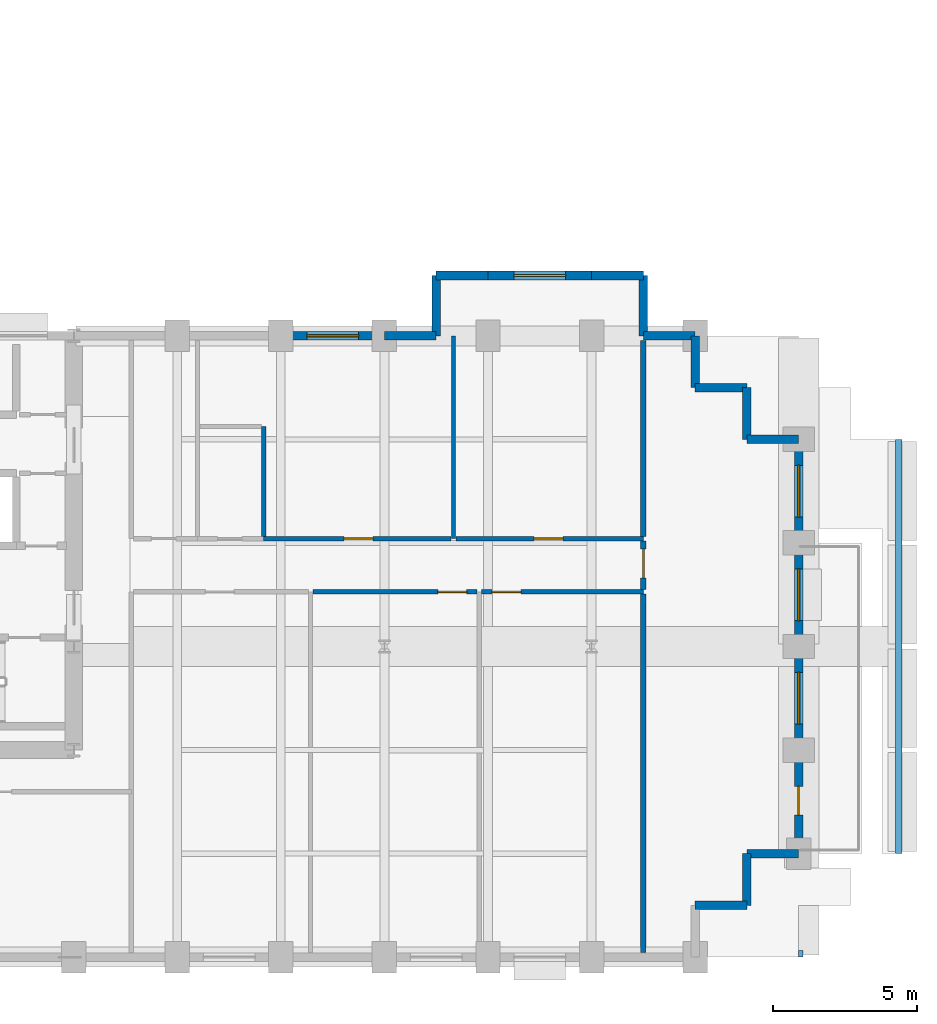
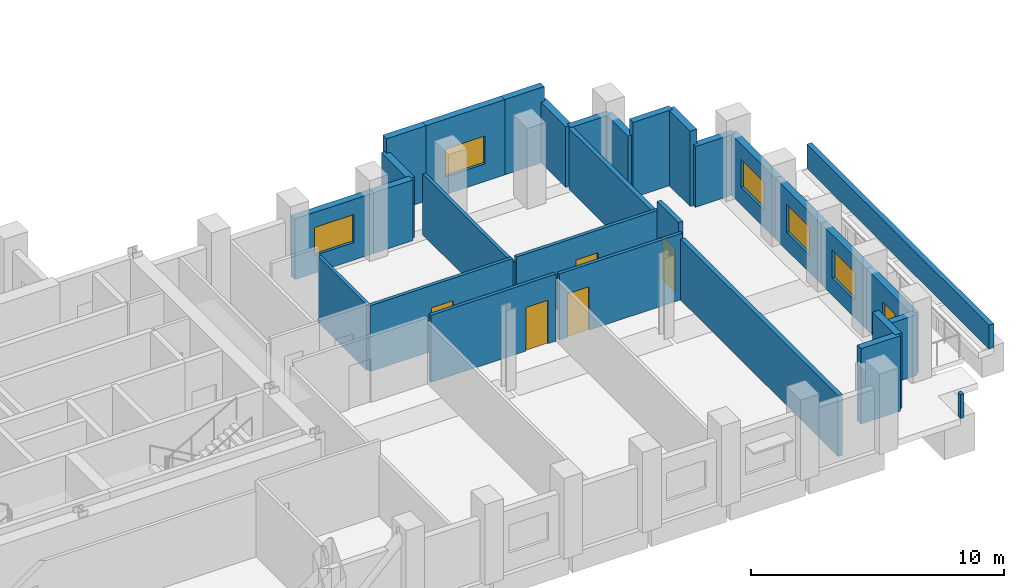
# One storey, part 6 of 9: 30 walls, 6 doors, 5 windows, 11 openings.
"""IFC4 building model written with IfcOpenShell, lengths in metres."""

from ifc_helpers import new_model, si_unit, direction, frame, frame_2d, origin, place, context, subcontext, project, spatial, rectangle, extrude, material, layer, layer_set, type_object, element, fill, save


model = new_model("IFC4")

# Units and contexts
model_context = context("Model", 3, precision=1e-05, world=origin(), true_north=direction((0.0, 1.0)))
body_context = subcontext(model_context, "Body", "Model", "MODEL_VIEW")
ifc_project = project(units=[si_unit("LENGTHUNIT", "METRE"), si_unit("AREAUNIT", "SQUARE_METRE"), si_unit("VOLUMEUNIT", "CUBIC_METRE"), si_unit("PLANEANGLEUNIT", "RADIAN"), si_unit("MASSUNIT", "GRAM", prefix="KILO")], contexts=[model_context])

# Site, building, storey
site_placement = place(None, origin())
site = spatial("IfcSite", under=ifc_project, at=site_placement, CompositionType="ELEMENT")
building_placement = place(site_placement, origin())
building = spatial("IfcBuilding", under=site, at=building_placement, Name="Solnavia Interchange Tower", CompositionType="ELEMENT")
storey_placement = place(building_placement, frame((0.0, 0.0, 80.10009765625)))
storey = spatial("IfcBuildingStorey", under=building, at=storey_placement, Name="L19", CompositionType="ELEMENT", Elevation=80.10009765625)

# Walls
ifc_material_1 = material(Name="Gypsum Acoustic Twin-Stud & Mineral Wool", Category="gypsum")
ifc_layer_1 = layer(ifc_material_1, 0.199951171875)
ifc_layer_set_1 = layer_set([ifc_layer_1], Name="Gypsum Acoustic Twin-Stud & Mineral Wool")
wall_type_1 = type_object("IfcWallType", Name="Wall-ApartmentParty-200", PredefinedType="PARTITIONING", material=ifc_layer_set_1)
wall_1_placement = place(storey_placement, frame((52.199951171875, 3.75390625, 0.0), z_axis=(0.0, 0.0, 1.0), x_axis=(0.0, 1.0, 0.0)))
element("IfcWall", 1, at=wall_1_placement, inside=storey, type_object=wall_type_1, Name="PTW-L19-22 Interior partition wall", PredefinedType="PARTITIONING", context=body_context, shape_type="SweptSolid", body=[
    extrude(rectangle(XDim=12.467041015625, YDim=0.199951171875, at=frame_2d((6.2333984375, 0.0))), origin(), (0.0, 0.0, 1.0), 2.929931640625),
])
wall_2_placement = place(storey_placement, frame((52.199951171875, 18.22900390625, 0.0), z_axis=(0.0, 0.0, 1.0), x_axis=(0.0, 1.0, 0.0)))
element("IfcWall", 2, at=wall_2_placement, inside=storey, type_object=wall_type_1, Name="PTW-L19-23 Interior partition wall", PredefinedType="PARTITIONING", context=body_context, shape_type="SweptSolid", body=[
    extrude(rectangle(XDim=6.81689453125, YDim=0.199951171875, at=frame_2d((3.408447265625, 0.0))), origin(), (0.0, 0.0, 1.0), 2.929931640625),
])

# Wall, opening, door
wall_3_placement = place(storey_placement, frame((52.199951171875, 16.37890625, 0.0), z_axis=(0.0, 0.0, 1.0), x_axis=(0.0, 1.0, 0.0)))
wall_3 = element("IfcWall", 3, at=wall_3_placement, inside=storey, type_object=wall_type_1, Name="PTW-L19-24 Interior partition wall", PredefinedType="PARTITIONING", context=body_context, shape_type="SweptSolid", body=[
    extrude(rectangle(XDim=1.692138671875, YDim=0.199951171875, at=frame_2d((0.84619140625, 0.0))), origin(), (0.0, 0.0, 1.0), 3.635009765625),
])
opening_1_placement = place(wall_3_placement, frame((0.405029296875, 0.0, 0.0)))
opening_1 = element("IfcOpeningElement", 4, at=opening_1_placement, cuts=wall_3, Name="Opening DR-06", PredefinedType="OPENING", context=body_context, shape_type="SweptSolid", body=[
    extrude(rectangle(XDim=1.0, YDim=2.10009765625, at=frame_2d((0.5, 1.050048828125))), frame((0.0, 0.10986328125, 0.0), z_axis=(0.0, -1.0, 0.0), x_axis=(1.0, 0.0, 0.0)), (0.0, 0.0, 1.0), 0.219970703125),
])
ifc_material_2 = material(Name="Engineered Timber Acoustic Fire Door", Category="wood")
door_type_1 = type_object("IfcDoorType", Name="Door-FlatEntry-1000x2100", OperationType="SINGLE_SWING_LEFT", PredefinedType="DOOR", material=ifc_material_2)
door_1_placement = place(opening_1_placement, origin())
door_1 = element("IfcDoor", 5, at=door_1_placement, inside=storey, type_object=door_type_1, Name="DR-L19-11 Interior room door", OperationType="SINGLE_SWING_RIGHT", OverallHeight=2.10009765625, OverallWidth=1.0, PredefinedType="DOOR", context=body_context, shape_type="SweptSolid", body=[
    extrude(rectangle(XDim=1.0, YDim=2.10009765625, at=frame_2d((0.5, 1.050048828125))), frame((0.0, 0.02490234375, 0.0), z_axis=(0.0, -1.0, 0.0), x_axis=(1.0, 0.0, 0.0)), (0.0, 0.0, 1.0), 0.050048828125),
])
fill(opening_1, door_1)

# Walls
ifc_material_3 = material(Name="Concrete C40/50", Category="concrete")
ifc_layer_2 = layer(ifc_material_3, 0.300048828125)
ifc_layer_set_2 = layer_set([ifc_layer_2], Name="Concrete C40/50")
wall_type_2 = type_object("IfcWallType", Name="Wall-ExtSpandrel-300", PredefinedType="STANDARD", material=ifc_layer_set_2)
for number, where, z_axis, x_axis, name in (
    (6, (55.800048828125, 5.39990234375, 0.0), (0.0, 0.0, 1.0), (-1.0, 0.0, 0.0), "EXW-L19-10 Exterior precast spandrel wall"),
    (7, (55.800048828125, 7.199951171875, 0.0), (0.0, 0.0, 1.0), (0.0, -1.0, 0.0), "EXW-L19-11 Exterior precast spandrel wall"),
):
    element("IfcWall", number, at=place(storey_placement, frame(where, z_axis=z_axis, x_axis=x_axis)), inside=storey, type_object=wall_type_2, Name=name, PredefinedType="STANDARD", context=body_context, shape_type="SweptSolid", body=[
        extrude(rectangle(XDim=1.800048828125, YDim=0.300048828125, at=frame_2d((0.89990234375, 0.0))), origin(), (0.0, 0.0, 1.0), 3.635009765625),
    ])
wall_4_placement = place(storey_placement, frame((57.60009765625, 7.199951171875, 0.0), z_axis=(0.0, 0.0, 1.0), x_axis=(-1.0, 0.0, 0.0)))
element("IfcWall", 8, at=wall_4_placement, inside=storey, type_object=wall_type_2, Name="EXW-L19-12 Exterior precast spandrel wall", PredefinedType="STANDARD", context=body_context, shape_type="SweptSolid", body=[
    extrude(rectangle(XDim=1.800048828125, YDim=0.300048828125, at=frame_2d((0.89990234375, 0.0))), origin(), (0.0, 0.0, 1.0), 2.929931640625),
])

# Wall, opening, door
wall_5_placement = place(storey_placement, frame((57.60009765625, 10.800048828125, 0.0), z_axis=(0.0, 0.0, 1.0), x_axis=(0.0, -1.0, 0.0)))
wall_5 = element("IfcWall", 9, at=wall_5_placement, inside=storey, type_object=wall_type_2, Name="EXW-L19-13 Exterior precast spandrel wall", PredefinedType="STANDARD", context=body_context, shape_type="SweptSolid", body=[
    extrude(rectangle(XDim=3.60009765625, YDim=0.300048828125, at=frame_2d((1.800048828125, 0.0))), origin(), (0.0, 0.0, 1.0), 2.929931640625),
])
opening_2_placement = place(wall_5_placement, frame((1.260986328125, 0.0, 0.0)))
opening_2 = element("IfcOpeningElement", 10, at=opening_2_placement, cuts=wall_5, Name="Opening EXD-05", PredefinedType="OPENING", context=body_context, shape_type="SweptSolid", body=[
    extrude(rectangle(XDim=1.0, YDim=2.10009765625, at=frame_2d((0.5, 1.050048828125))), frame((0.0, 0.16015625, 0.0), z_axis=(0.0, -1.0, 0.0), x_axis=(1.0, 0.0, 0.0)), (0.0, 0.0, 1.0), 0.320068359375),
])
ifc_material_4 = material(Name="Thermally Broken Aluminium & Laminated Glass", Category="aluminium")
door_type_2 = type_object("IfcDoorType", Name="Door-TerraceSingle-1000x2100", OperationType="SINGLE_SWING_LEFT", PredefinedType="DOOR", material=ifc_material_4)
door_2_placement = place(opening_2_placement, origin())
door_2 = element("IfcDoor", 11, at=door_2_placement, inside=storey, type_object=door_type_2, Name="EXD-L19-TER Spiral terrace glazed door", OperationType="SINGLE_SWING_LEFT", OverallHeight=2.10009765625, OverallWidth=1.0, PredefinedType="DOOR", context=body_context, shape_type="SweptSolid", body=[
    extrude(rectangle(XDim=1.0, YDim=2.10009765625, at=frame_2d((0.5, 1.050048828125))), frame((0.0, 0.02490234375, 0.0), z_axis=(0.0, -1.0, 0.0), x_axis=(1.0, 0.0, 0.0)), (0.0, 0.0, 1.0), 0.050048828125),
])
fill(opening_2, door_2)

# Wall, opening, window
wall_6_placement = place(storey_placement, frame((57.60009765625, 14.39990234375, 0.0), z_axis=(0.0, 0.0, 1.0), x_axis=(0.0, -1.0, 0.0)))
wall_6 = element("IfcWall", 12, at=wall_6_placement, inside=storey, type_object=wall_type_2, Name="EXW-L19-14 Exterior precast spandrel wall", PredefinedType="STANDARD", context=body_context, shape_type="SweptSolid", body=[
    extrude(rectangle(XDim=3.599853515625, YDim=0.300048828125, at=frame_2d((1.7998046875, 0.0))), origin(), (0.0, 0.0, 1.0), 2.929931640625),
])
opening_3_placement = place(wall_6_placement, frame((0.89990234375, 0.0, 0.85009765625)))
opening_3 = element("IfcOpeningElement", 13, at=opening_3_placement, cuts=wall_6, Name="Opening WIN-02", PredefinedType="OPENING", context=body_context, shape_type="SweptSolid", body=[
    extrude(rectangle(XDim=1.800048828125, YDim=1.35009765625, at=frame_2d((0.89990234375, 0.675048828125))), frame((0.0, 0.16015625, 0.0), z_axis=(0.0, -1.0, 0.0), x_axis=(1.0, 0.0, 0.0)), (0.0, 0.0, 1.0), 0.320068359375),
])
ifc_material_5 = material(Name="Thermal-Break Aluminium & Low-E Glass", Category="aluminium")
window_type = type_object("IfcWindowType", Name="Window-Ribbon-1800x1350", PartitioningType="SINGLE_PANEL", PredefinedType="WINDOW", material=ifc_material_5)
window_1_placement = place(opening_3_placement, origin())
window_1 = element("IfcWindow", 14, at=window_1_placement, inside=storey, type_object=window_type, Name="WIN-L19-14 Facade ribbon window", OverallHeight=1.35009765625, OverallWidth=1.800048828125, PartitioningType="SINGLE_PANEL", PredefinedType="WINDOW", context=body_context, shape_type="SweptSolid", body=[
    extrude(rectangle(XDim=1.800048828125, YDim=1.35009765625, at=frame_2d((0.89990234375, 0.675048828125))), frame((0.0, 0.030029296875, 0.0), z_axis=(0.0, -1.0, 0.0), x_axis=(1.0, 0.0, 0.0)), (0.0, 0.0, 1.0), 0.06005859375),
])
fill(opening_3, window_1)

wall_7_placement = place(storey_placement, frame((57.60009765625, 18.0, 0.0), z_axis=(0.0, 0.0, 1.0), x_axis=(0.0, -1.0, 0.0)))
wall_7 = element("IfcWall", 15, at=wall_7_placement, inside=storey, type_object=wall_type_2, Name="EXW-L19-15 Exterior precast spandrel wall", PredefinedType="STANDARD", context=body_context, shape_type="SweptSolid", body=[
    extrude(rectangle(XDim=3.60009765625, YDim=0.300048828125, at=frame_2d((1.800048828125, 0.0))), origin(), (0.0, 0.0, 1.0), 2.929931640625),
])
opening_4_placement = place(wall_7_placement, frame((0.89990234375, 0.0, 0.85009765625)))
opening_4 = element("IfcOpeningElement", 16, at=opening_4_placement, cuts=wall_7, Name="Opening WIN-02", PredefinedType="OPENING", context=body_context, shape_type="SweptSolid", body=[
    extrude(rectangle(XDim=1.800048828125, YDim=1.35009765625, at=frame_2d((0.89990234375, 0.675048828125))), frame((0.0, 0.16015625, 0.0), z_axis=(0.0, -1.0, 0.0), x_axis=(1.0, 0.0, 0.0)), (0.0, 0.0, 1.0), 0.320068359375),
])
window_2_placement = place(opening_4_placement, origin())
window_2 = element("IfcWindow", 17, at=window_2_placement, inside=storey, type_object=window_type, Name="WIN-L19-15 Facade ribbon window", OverallHeight=1.35009765625, OverallWidth=1.800048828125, PartitioningType="SINGLE_PANEL", PredefinedType="WINDOW", context=body_context, shape_type="SweptSolid", body=[
    extrude(rectangle(XDim=1.800048828125, YDim=1.35009765625, at=frame_2d((0.89990234375, 0.675048828125))), frame((0.0, 0.030029296875, 0.0), z_axis=(0.0, -1.0, 0.0), x_axis=(1.0, 0.0, 0.0)), (0.0, 0.0, 1.0), 0.06005859375),
])
fill(opening_4, window_2)

wall_8_placement = place(storey_placement, frame((57.60009765625, 21.60009765625, 0.0), z_axis=(0.0, 0.0, 1.0), x_axis=(0.0, -1.0, 0.0)))
wall_8 = element("IfcWall", 18, at=wall_8_placement, inside=storey, type_object=wall_type_2, Name="EXW-L19-16 Exterior precast spandrel wall", PredefinedType="STANDARD", context=body_context, shape_type="SweptSolid", body=[
    extrude(rectangle(XDim=3.60009765625, YDim=0.300048828125, at=frame_2d((1.800048828125, 0.0))), origin(), (0.0, 0.0, 1.0), 2.929931640625),
])
opening_5_placement = place(wall_8_placement, frame((0.89990234375, 0.0, 0.85009765625)))
opening_5 = element("IfcOpeningElement", 19, at=opening_5_placement, cuts=wall_8, Name="Opening WIN-02", PredefinedType="OPENING", context=body_context, shape_type="SweptSolid", body=[
    extrude(rectangle(XDim=1.800048828125, YDim=1.35009765625, at=frame_2d((0.89990234375, 0.675048828125))), frame((0.0, 0.16015625, 0.0), z_axis=(0.0, -1.0, 0.0), x_axis=(1.0, 0.0, 0.0)), (0.0, 0.0, 1.0), 0.320068359375),
])
window_3_placement = place(opening_5_placement, origin())
window_3 = element("IfcWindow", 20, at=window_3_placement, inside=storey, type_object=window_type, Name="WIN-L19-16 Facade ribbon window", OverallHeight=1.35009765625, OverallWidth=1.800048828125, PartitioningType="SINGLE_PANEL", PredefinedType="WINDOW", context=body_context, shape_type="SweptSolid", body=[
    extrude(rectangle(XDim=1.800048828125, YDim=1.35009765625, at=frame_2d((0.89990234375, 0.675048828125))), frame((0.0, 0.030029296875, 0.0), z_axis=(0.0, -1.0, 0.0), x_axis=(1.0, 0.0, 0.0)), (0.0, 0.0, 1.0), 0.06005859375),
])
fill(opening_5, window_3)

# Walls
wall_9_placement = place(storey_placement, frame((55.800048828125, 21.60009765625, 0.0), z_axis=(0.0, 0.0, 1.0), x_axis=(1.0, 0.0, 0.0)))
element("IfcWall", 21, at=wall_9_placement, inside=storey, type_object=wall_type_2, Name="EXW-L19-17 Exterior precast spandrel wall", PredefinedType="STANDARD", context=body_context, shape_type="SweptSolid", body=[
    extrude(rectangle(XDim=1.800048828125, YDim=0.300048828125, at=frame_2d((0.89990234375, 0.0))), origin(), (0.0, 0.0, 1.0), 2.929931640625),
])
wall_10_placement = place(storey_placement, frame((55.800048828125, 23.39990234375, 0.0), z_axis=(0.0, 0.0, 1.0), x_axis=(0.0, -1.0, 0.0)))
element("IfcWall", 22, at=wall_10_placement, inside=storey, type_object=wall_type_2, Name="EXW-L19-18 Exterior precast spandrel wall", PredefinedType="STANDARD", context=body_context, shape_type="SweptSolid", body=[
    extrude(rectangle(XDim=1.7998046875, YDim=0.300048828125, at=frame_2d((0.89990234375, 0.0))), origin(), (0.0, 0.0, 1.0), 3.635009765625),
])
wall_11_placement = place(storey_placement, frame((54.0, 23.39990234375, 0.0), z_axis=(0.0, 0.0, 1.0), x_axis=(1.0, 0.0, 0.0)))
element("IfcWall", 23, at=wall_11_placement, inside=storey, type_object=wall_type_2, Name="EXW-L19-19 Exterior precast spandrel wall", PredefinedType="STANDARD", context=body_context, shape_type="SweptSolid", body=[
    extrude(rectangle(XDim=1.800048828125, YDim=0.300048828125, at=frame_2d((0.89990234375, 0.0))), origin(), (0.0, 0.0, 1.0), 3.635009765625),
])
for number, where, z_axis, x_axis, name in (
    (24, (54.0, 25.199951171875, 0.0), (0.0, 0.0, 1.0), (0.0, -1.0, 0.0), "EXW-L19-20 Exterior precast spandrel wall"),
    (25, (52.199951171875, 25.199951171875, 0.0), (0.0, 0.0, 1.0), (1.0, 0.0, 0.0), "EXW-L19-21 Exterior precast spandrel wall"),
):
    element("IfcWall", number, at=place(storey_placement, frame(where, z_axis=z_axis, x_axis=x_axis)), inside=storey, type_object=wall_type_2, Name=name, PredefinedType="STANDARD", context=body_context, shape_type="SweptSolid", body=[
        extrude(rectangle(XDim=1.800048828125, YDim=0.300048828125, at=frame_2d((0.89990234375, 0.0))), origin(), (0.0, 0.0, 1.0), 2.929931640625),
    ])
wall_12_placement = place(storey_placement, frame((52.199951171875, 27.300048828125, 0.0), z_axis=(0.0, 0.0, 1.0), x_axis=(0.0, -1.0, 0.0)))
element("IfcWall", 26, at=wall_12_placement, inside=storey, type_object=wall_type_2, Name="EXW-L19-22 Exterior precast spandrel wall", PredefinedType="STANDARD", context=body_context, shape_type="SweptSolid", body=[
    extrude(rectangle(XDim=2.10009765625, YDim=0.300048828125, at=frame_2d((1.050048828125, 0.0))), origin(), (0.0, 0.0, 1.0), 2.929931640625),
])
wall_13_placement = place(storey_placement, frame((50.39990234375, 27.300048828125, 0.0), z_axis=(0.0, 0.0, 1.0), x_axis=(1.0, 0.0, 0.0)))
element("IfcWall", 27, at=wall_13_placement, inside=storey, type_object=wall_type_2, Name="EXW-L19-23 Exterior precast spandrel wall", PredefinedType="STANDARD", context=body_context, shape_type="SweptSolid", body=[
    extrude(rectangle(XDim=1.800048828125, YDim=0.300048828125, at=frame_2d((0.89990234375, 0.0))), origin(), (0.0, 0.0, 1.0), 3.635009765625),
])

# Wall, opening, window
wall_14_placement = place(storey_placement, frame((46.800048828125, 27.300048828125, 0.0), z_axis=(0.0, 0.0, 1.0), x_axis=(1.0, 0.0, 0.0)))
wall_14 = element("IfcWall", 28, at=wall_14_placement, inside=storey, type_object=wall_type_2, Name="EXW-L19-24 Exterior precast spandrel wall", PredefinedType="STANDARD", context=body_context, shape_type="SweptSolid", body=[
    extrude(rectangle(XDim=3.599853515625, YDim=0.300048828125, at=frame_2d((1.7998046875, 0.0))), origin(), (0.0, 0.0, 1.0), 3.635009765625),
])
opening_6_placement = place(wall_14_placement, frame((0.89990234375, 0.0, 0.85009765625)))
opening_6 = element("IfcOpeningElement", 29, at=opening_6_placement, cuts=wall_14, Name="Opening WIN-02", PredefinedType="OPENING", context=body_context, shape_type="SweptSolid", body=[
    extrude(rectangle(XDim=1.800048828125, YDim=1.35009765625, at=frame_2d((0.89990234375, 0.675048828125))), frame((0.0, 0.16015625, 0.0), z_axis=(0.0, -1.0, 0.0), x_axis=(1.0, 0.0, 0.0)), (0.0, 0.0, 1.0), 0.320068359375),
])
window_4_placement = place(opening_6_placement, origin())
window_4 = element("IfcWindow", 30, at=window_4_placement, inside=storey, type_object=window_type, Name="WIN-L19-24 Facade ribbon window", OverallHeight=1.35009765625, OverallWidth=1.800048828125, PartitioningType="SINGLE_PANEL", PredefinedType="WINDOW", context=body_context, shape_type="SweptSolid", body=[
    extrude(rectangle(XDim=1.800048828125, YDim=1.35009765625, at=frame_2d((0.89990234375, 0.675048828125))), frame((0.0, 0.030029296875, 0.0), z_axis=(0.0, -1.0, 0.0), x_axis=(1.0, 0.0, 0.0)), (0.0, 0.0, 1.0), 0.06005859375),
])
fill(opening_6, window_4)

# Walls
wall_15_placement = place(storey_placement, frame((45.0, 27.300048828125, 0.0), z_axis=(0.0, 0.0, 1.0), x_axis=(1.0, 0.0, 0.0)))
element("IfcWall", 31, at=wall_15_placement, inside=storey, type_object=wall_type_2, Name="EXW-L19-25 Exterior precast spandrel wall", PredefinedType="STANDARD", context=body_context, shape_type="SweptSolid", body=[
    extrude(rectangle(XDim=1.800048828125, YDim=0.300048828125, at=frame_2d((0.89990234375, 0.0))), origin(), (0.0, 0.0, 1.0), 3.635009765625),
])
wall_16_placement = place(storey_placement, frame((45.0, 27.300048828125, 0.0), z_axis=(0.0, 0.0, 1.0), x_axis=(0.0, -1.0, 0.0)))
element("IfcWall", 32, at=wall_16_placement, inside=storey, type_object=wall_type_2, Name="EXW-L19-26 Exterior precast spandrel wall", PredefinedType="STANDARD", context=body_context, shape_type="SweptSolid", body=[
    extrude(rectangle(XDim=2.10009765625, YDim=0.300048828125, at=frame_2d((1.050048828125, 0.0))), origin(), (0.0, 0.0, 1.0), 2.929931640625),
])
wall_17_placement = place(storey_placement, frame((43.199951171875, 25.199951171875, 0.0), z_axis=(0.0, 0.0, 1.0), x_axis=(1.0, 0.0, 0.0)))
element("IfcWall", 33, at=wall_17_placement, inside=storey, type_object=wall_type_2, Name="EXW-L19-27 Exterior precast spandrel wall", PredefinedType="STANDARD", context=body_context, shape_type="SweptSolid", body=[
    extrude(rectangle(XDim=1.800048828125, YDim=0.300048828125, at=frame_2d((0.89990234375, 0.0))), origin(), (0.0, 0.0, 1.0), 2.929931640625),
])

# Wall, opening, window
wall_18_placement = place(storey_placement, frame((39.60009765625, 25.199951171875, 0.0), z_axis=(0.0, 0.0, 1.0), x_axis=(1.0, 0.0, 0.0)))
wall_18 = element("IfcWall", 34, at=wall_18_placement, inside=storey, type_object=wall_type_2, Name="EXW-L19-28 Exterior precast spandrel wall", PredefinedType="STANDARD", context=body_context, shape_type="SweptSolid", body=[
    extrude(rectangle(XDim=3.599853515625, YDim=0.300048828125, at=frame_2d((1.7998046875, 0.0))), origin(), (0.0, 0.0, 1.0), 2.929931640625),
])
opening_7_placement = place(wall_18_placement, frame((0.89990234375, 0.0, 0.85009765625)))
opening_7 = element("IfcOpeningElement", 35, at=opening_7_placement, cuts=wall_18, Name="Opening WIN-02", PredefinedType="OPENING", context=body_context, shape_type="SweptSolid", body=[
    extrude(rectangle(XDim=1.800048828125, YDim=1.35009765625, at=frame_2d((0.89990234375, 0.675048828125))), frame((0.0, 0.16015625, 0.0), z_axis=(0.0, -1.0, 0.0), x_axis=(1.0, 0.0, 0.0)), (0.0, 0.0, 1.0), 0.320068359375),
])
window_5_placement = place(opening_7_placement, origin())
window_5 = element("IfcWindow", 36, at=window_5_placement, inside=storey, type_object=window_type, Name="WIN-L19-28 Facade ribbon window", OverallHeight=1.35009765625, OverallWidth=1.800048828125, PartitioningType="SINGLE_PANEL", PredefinedType="WINDOW", context=body_context, shape_type="SweptSolid", body=[
    extrude(rectangle(XDim=1.800048828125, YDim=1.35009765625, at=frame_2d((0.89990234375, 0.675048828125))), frame((0.0, 0.030029296875, 0.0), z_axis=(0.0, -1.0, 0.0), x_axis=(1.0, 0.0, 0.0)), (0.0, 0.0, 1.0), 0.06005859375),
])
fill(opening_7, window_5)

# Walls
ifc_layer_3 = layer(ifc_material_3, 0.219970703125)
ifc_layer_set_3 = layer_set([ifc_layer_3], Name="Concrete C40/50")
wall_type_3 = type_object("IfcWallType", Name="Wall-Parapet-220", PredefinedType="PARAPET", material=ifc_layer_set_3)
wall_19_placement = place(storey_placement, frame((57.75, 3.719970703125, 0.0), z_axis=(0.0, 0.0, 1.0), x_axis=(-1.0, 0.0, 0.0)))
element("IfcWall", 37, at=wall_19_placement, inside=storey, type_object=wall_type_3, Name="PRP-L19-E1 Setback roof parapet", PredefinedType="PARAPET", context=body_context, shape_type="SweptSolid", body=[
    extrude(rectangle(XDim=0.14990234375, YDim=0.219970703125, at=frame_2d((0.074951171875, 0.0))), origin(), (0.0, 0.0, 1.0), 1.14990234375),
])
wall_20_placement = place(storey_placement, frame((61.080078125, 7.199951171875, 0.0), z_axis=(0.0, 0.0, 1.0), x_axis=(0.0, 1.0, 0.0)))
element("IfcWall", 38, at=wall_20_placement, inside=storey, type_object=wall_type_3, Name="PRP-L19-E2 Setback roof parapet", PredefinedType="PARAPET", context=body_context, shape_type="SweptSolid", body=[
    extrude(rectangle(XDim=14.400146484375, YDim=0.219970703125, at=frame_2d((7.2001953125, 0.0))), origin(), (0.0, 0.0, 1.0), 1.14990234375),
])

# Wall, opening, door
ifc_material_6 = material(Name="Gypsum Plasterboard & Steel Stud", Category="steel")
ifc_layer_4 = layer(ifc_material_6, 0.14990234375)
ifc_layer_set_4 = layer_set([ifc_layer_4], Name="Gypsum Plasterboard & Steel Stud")
wall_type_4 = type_object("IfcWallType", Name="Wall-Partition-150", PredefinedType="PARTITIONING", material=ifc_layer_set_4)
wall_21_placement = place(storey_placement, frame((40.708984375, 16.300048828125, 0.0), z_axis=(0.0, 0.0, 1.0), x_axis=(1.0, 0.0, 0.0)))
wall_21 = element("IfcWall", 39, at=wall_21_placement, inside=storey, type_object=wall_type_4, Name="PTW-L19-17 Interior partition wall", PredefinedType="PARTITIONING", context=body_context, shape_type="SweptSolid", body=[
    extrude(rectangle(XDim=5.7119140625, YDim=0.14990234375, at=frame_2d((2.85595703125, 0.0))), origin(), (0.0, 0.0, 1.0), 3.239990234375),
])
opening_8_placement = place(wall_21_placement, frame((4.35107421875, 0.0, 0.0)))
opening_8 = element("IfcOpeningElement", 40, at=opening_8_placement, cuts=wall_21, Name="Opening DR-07", PredefinedType="OPENING", context=body_context, shape_type="SweptSolid", body=[
    extrude(rectangle(XDim=1.0, YDim=2.10009765625, at=frame_2d((0.5, 1.050048828125))), frame((0.0, 0.0849609375, 0.0), z_axis=(0.0, -1.0, 0.0), x_axis=(1.0, 0.0, 0.0)), (0.0, 0.0, 1.0), 0.169921875),
])
ifc_material_7 = material(Name="Timber & Acoustic Glazed Office Door", Category="wood")
door_type_3 = type_object("IfcDoorType", Name="Door-Office-1000x2100", OperationType="SINGLE_SWING_RIGHT", PredefinedType="DOOR", material=ifc_material_7)
door_3_placement = place(opening_8_placement, origin())
door_3 = element("IfcDoor", 41, at=door_3_placement, inside=storey, type_object=door_type_3, Name="DR-L19-07 Interior room door", OperationType="SINGLE_SWING_RIGHT", OverallHeight=2.10009765625, OverallWidth=1.0, PredefinedType="DOOR", context=body_context, shape_type="SweptSolid", body=[
    extrude(rectangle(XDim=1.0, YDim=2.10009765625, at=frame_2d((0.5, 1.050048828125))), frame((0.0, 0.02490234375, 0.0), z_axis=(0.0, -1.0, 0.0), x_axis=(1.0, 0.0, 0.0)), (0.0, 0.0, 1.0), 0.050048828125),
])
fill(opening_8, door_3)

wall_22_placement = place(storey_placement, frame((46.5791015625, 16.300048828125, 0.0), z_axis=(0.0, 0.0, 1.0), x_axis=(1.0, 0.0, 0.0)))
wall_22 = element("IfcWall", 42, at=wall_22_placement, inside=storey, type_object=wall_type_4, Name="PTW-L19-18 Interior partition wall", PredefinedType="PARTITIONING", context=body_context, shape_type="SweptSolid", body=[
    extrude(rectangle(XDim=5.620849609375, YDim=0.14990234375, at=frame_2d((2.810546875, 0.0))), origin(), (0.0, 0.0, 1.0), 3.18994140625),
])
opening_9_placement = place(wall_22_placement, frame((0.361083984375, 0.0, 0.0)))
opening_9 = element("IfcOpeningElement", 43, at=opening_9_placement, cuts=wall_22, Name="Opening DR-07", PredefinedType="OPENING", context=body_context, shape_type="SweptSolid", body=[
    extrude(rectangle(XDim=1.0, YDim=2.10009765625, at=frame_2d((0.5, 1.050048828125))), frame((0.0, 0.0849609375, 0.0), z_axis=(0.0, -1.0, 0.0), x_axis=(1.0, 0.0, 0.0)), (0.0, 0.0, 1.0), 0.169921875),
])
door_4_placement = place(opening_9_placement, origin())
door_4 = element("IfcDoor", 44, at=door_4_placement, inside=storey, type_object=door_type_3, Name="DR-L19-08 Interior room door", OperationType="SINGLE_SWING_LEFT", OverallHeight=2.10009765625, OverallWidth=1.0, PredefinedType="DOOR", context=body_context, shape_type="SweptSolid", body=[
    extrude(rectangle(XDim=1.0, YDim=2.10009765625, at=frame_2d((0.5, 1.050048828125))), frame((0.0, 0.02490234375, 0.0), z_axis=(0.0, -1.0, 0.0), x_axis=(1.0, 0.0, 0.0)), (0.0, 0.0, 1.0), 0.050048828125),
])
fill(opening_9, door_4)

# Wall
wall_23_placement = place(storey_placement, frame((45.60009765625, 18.14990234375, 0.0), z_axis=(0.0, 0.0, 1.0), x_axis=(0.0, 1.0, 0.0)))
element("IfcWall", 45, at=wall_23_placement, inside=storey, type_object=wall_type_4, Name="PTW-L19-19 Interior partition wall", PredefinedType="PARTITIONING", context=body_context, shape_type="SweptSolid", body=[
    extrude(rectangle(XDim=7.050048828125, YDim=0.14990234375, at=frame_2d((3.52490234375, 0.0))), origin(), (0.0, 0.0, 1.0), 2.929931640625),
])

# Wall, opening, door
wall_24_placement = place(storey_placement, frame((39.0, 18.14990234375, 0.0), z_axis=(0.0, 0.0, 1.0), x_axis=(1.0, 0.0, 0.0)))
wall_24 = element("IfcWall", 46, at=wall_24_placement, inside=storey, type_object=wall_type_4, Name="PTW-L19-20 Interior partition wall", PredefinedType="PARTITIONING", context=body_context, shape_type="SweptSolid", body=[
    extrude(rectangle(XDim=6.52099609375, YDim=0.14990234375, at=frame_2d((3.260498046875, 0.0))), origin(), (0.0, 0.0, 1.0), 3.179931640625),
])
opening_10_placement = place(wall_24_placement, frame((2.800048828125, 0.0, 0.0)))
opening_10 = element("IfcOpeningElement", 47, at=opening_10_placement, cuts=wall_24, Name="Opening DR-07", PredefinedType="OPENING", context=body_context, shape_type="SweptSolid", body=[
    extrude(rectangle(XDim=1.0, YDim=2.10009765625, at=frame_2d((0.5, 1.050048828125))), frame((0.0, 0.0849609375, 0.0), z_axis=(0.0, -1.0, 0.0), x_axis=(1.0, 0.0, 0.0)), (0.0, 0.0, 1.0), 0.169921875),
])
door_5_placement = place(opening_10_placement, origin())
door_5 = element("IfcDoor", 48, at=door_5_placement, inside=storey, type_object=door_type_3, Name="DR-L19-09 Interior room door", OperationType="SINGLE_SWING_RIGHT", OverallHeight=2.10009765625, OverallWidth=1.0, PredefinedType="DOOR", context=body_context, shape_type="SweptSolid", body=[
    extrude(rectangle(XDim=1.0, YDim=2.10009765625, at=frame_2d((0.5, 1.050048828125))), frame((0.0, 0.02490234375, 0.0), z_axis=(0.0, -1.0, 0.0), x_axis=(1.0, 0.0, 0.0)), (0.0, 0.0, 1.0), 0.050048828125),
])
fill(opening_10, door_5)

wall_25_placement = place(storey_placement, frame((45.678955078125, 18.14990234375, 0.0), z_axis=(0.0, 0.0, 1.0), x_axis=(1.0, 0.0, 0.0)))
wall_25 = element("IfcWall", 49, at=wall_25_placement, inside=storey, type_object=wall_type_4, Name="PTW-L19-21 Interior partition wall", PredefinedType="PARTITIONING", context=body_context, shape_type="SweptSolid", body=[
    extrude(rectangle(XDim=6.52099609375, YDim=0.14990234375, at=frame_2d((3.260498046875, 0.0))), origin(), (0.0, 0.0, 1.0), 3.18994140625),
])
opening_11_placement = place(wall_25_placement, frame((2.720947265625, 0.0, 0.0)))
opening_11 = element("IfcOpeningElement", 50, at=opening_11_placement, cuts=wall_25, Name="Opening DR-07", PredefinedType="OPENING", context=body_context, shape_type="SweptSolid", body=[
    extrude(rectangle(XDim=1.0, YDim=2.10009765625, at=frame_2d((0.5, 1.050048828125))), frame((0.0, 0.0849609375, 0.0), z_axis=(0.0, -1.0, 0.0), x_axis=(1.0, 0.0, 0.0)), (0.0, 0.0, 1.0), 0.169921875),
])
door_6_placement = place(opening_11_placement, origin())
door_6 = element("IfcDoor", 51, at=door_6_placement, inside=storey, type_object=door_type_3, Name="DR-L19-10 Interior room door", OperationType="SINGLE_SWING_RIGHT", OverallHeight=2.10009765625, OverallWidth=1.0, PredefinedType="DOOR", context=body_context, shape_type="SweptSolid", body=[
    extrude(rectangle(XDim=1.0, YDim=2.10009765625, at=frame_2d((0.5, 1.050048828125))), frame((0.0, 0.02490234375, 0.0), z_axis=(0.0, -1.0, 0.0), x_axis=(1.0, 0.0, 0.0)), (0.0, 0.0, 1.0), 0.050048828125),
])
fill(opening_11, door_6)

# Wall
ifc_material_8 = material(Name="Moisture-Resistant Gypsum & Steel Stud", Category="steel")
ifc_layer_5 = layer(ifc_material_8, 0.14990234375)
ifc_layer_set_5 = layer_set([ifc_layer_5], Name="Moisture-Resistant Gypsum & Steel Stud")
wall_type_5 = type_object("IfcWallType", Name="Wall-WetRoom-150", PredefinedType="PARTITIONING", material=ifc_layer_set_5)
wall_26_placement = place(storey_placement, frame((39.0, 18.22900390625, 0.0), z_axis=(0.0, 0.0, 1.0), x_axis=(0.0, 1.0, 0.0)))
element("IfcWall", 52, at=wall_26_placement, inside=storey, type_object=wall_type_5, Name="PTW-L19-05 Interior partition wall", PredefinedType="PARTITIONING", context=body_context, shape_type="SweptSolid", body=[
    extrude(rectangle(XDim=3.821044921875, YDim=0.14990234375, at=frame_2d((1.91064453125, 0.0))), origin(), (0.0, 0.0, 1.0), 3.179931640625),
])

save(model, "model.ifc")
